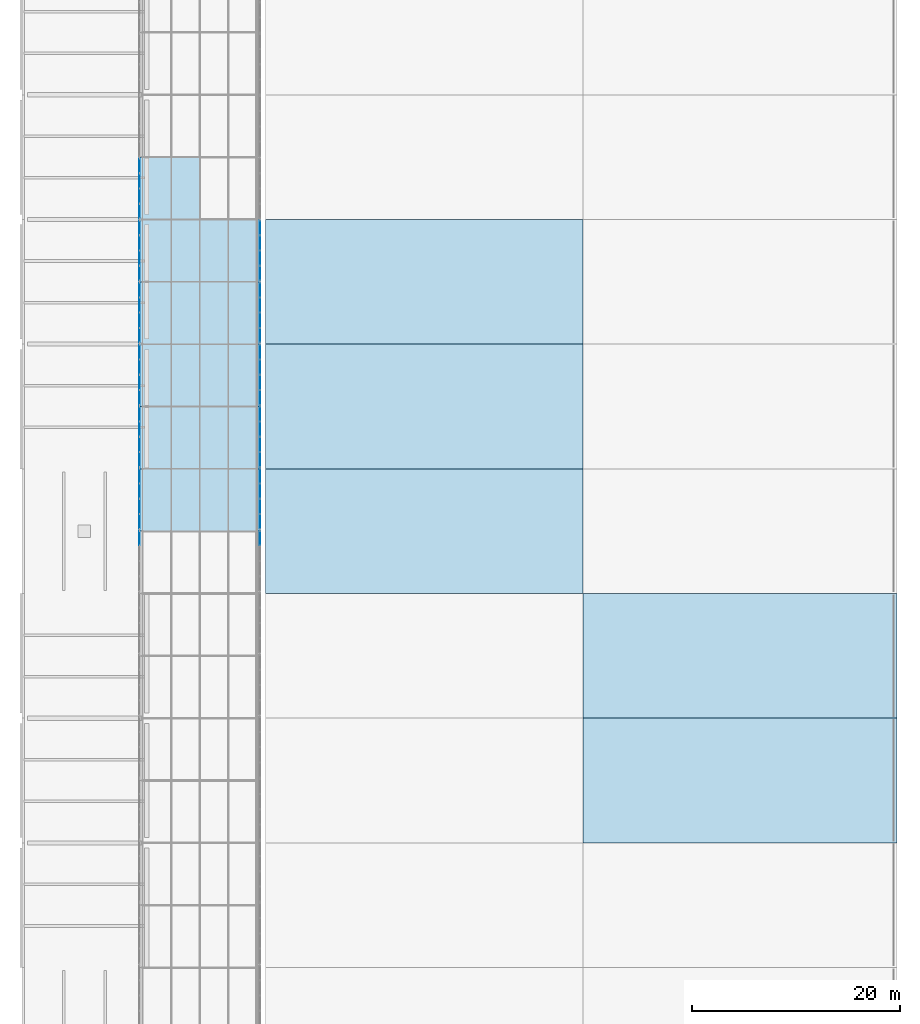
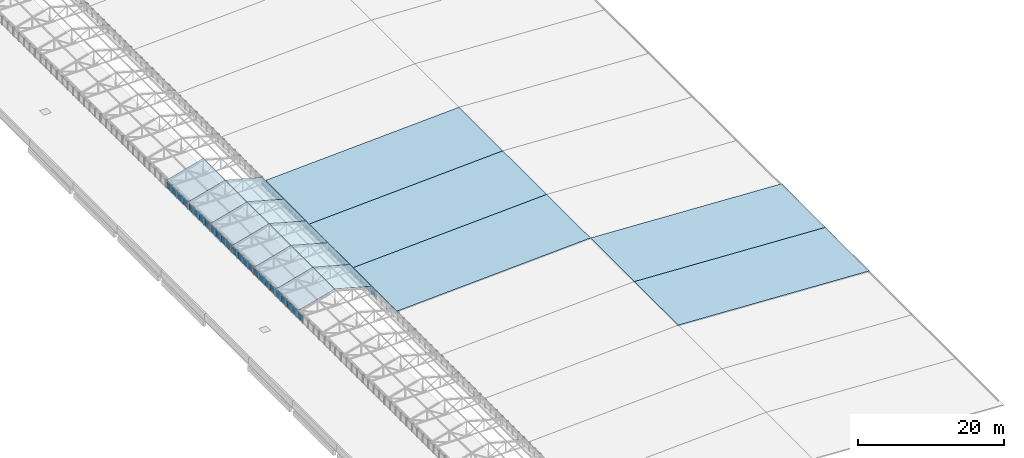
# One storey, part 79 of 94: 46 plates, 16 slabs, 13 elements without a shape of their own.
"""IFC4 building model written with IfcOpenShell, lengths in metres."""

import ifcopenshell
import ifcopenshell.guid

model = None  # the IFC model being written
_history = None  # IfcOwnerHistory: only IFC2X3 demands one
_inside = {}  # id of a spatial element -> (the spatial element, [elements in it])
_under = {}  # id of a project, library or spatial element -> (it, [spatial elements below it])
_declared = {}  # id of a project -> (the project, [libraries it declares])
_typed = {}  # id of a type object -> (the type object, [elements of that type])
_made_of = {}  # id of a material, layer set ... -> (it, [elements and type objects made of it])


def new_model(schema):
    """Start an empty IFC model of exactly this schema.

    Asked for "IFC4X3", IfcOpenShell would pick the latest addendum, in which some entities
    have other attributes; the version numbers below select the first issue.
    IFC2X3 requires an IfcOwnerHistory on every rooted entity: one is made here for all.
    """
    global model, _history
    if schema == "IFC4X3":
        model = ifcopenshell.file(schema_version=(4, 3, 0, 0))
    else:
        model = ifcopenshell.file(schema=schema)
    _inside.clear()
    _under.clear()
    _declared.clear()
    _typed.clear()
    _made_of.clear()
    _history = None
    if model.schema == "IFC2X3":
        org = make("IfcOrganization", Name="unknown")
        user = make(
            "IfcPersonAndOrganization",
            ThePerson=make("IfcPerson", FamilyName="unknown"),
            TheOrganization=org,
        )
        app = make(
            "IfcApplication",
            ApplicationDeveloper=org,
            Version="unknown",
            ApplicationFullName="unknown",
            ApplicationIdentifier="unknown",
        )
        _history = make(
            "IfcOwnerHistory",
            OwningUser=user,
            OwningApplication=app,
            ChangeAction="ADDED",
            CreationDate=0,
        )
    return model


def make(cls, **values):
    """One entity of the class cls with the attributes given. An attribute that is None is left unset."""
    return model.create_entity(
        cls, **{name: value for name, value in values.items() if value is not None}
    )


def rooted(cls, **values):
    """An entity with a GlobalId (a new one), such as an element, a storey or a relation."""
    return make(cls, GlobalId=ifcopenshell.guid.new(), OwnerHistory=_history, **values)


def si_unit(unit_type, name, prefix=None):
    """IfcSIUnit, for example si_unit("LENGTHUNIT", "METRE", prefix="MILLI")."""
    return make("IfcSIUnit", UnitType=unit_type, Prefix=prefix, Name=name)


def assignment(units):
    """IfcUnitAssignment: the units of a project."""
    return None if units is None else make("IfcUnitAssignment", Units=units)


def point(xyz):
    """IfcCartesianPoint."""
    return None if xyz is None else make("IfcCartesianPoint", Coordinates=xyz)


def direction(xyz):
    """IfcDirection."""
    return None if xyz is None else make("IfcDirection", DirectionRatios=xyz)


def frame(location, z_axis=None, x_axis=None):
    """IfcAxis2Placement3D, a coordinate frame: its origin and axes. An axis left out is left unset."""
    return make(
        "IfcAxis2Placement3D",
        Location=point(location),
        Axis=direction(z_axis),
        RefDirection=direction(x_axis),
    )


def frame_2d(location, x_axis=None):
    """IfcAxis2Placement2D, a coordinate frame in the plane: its origin and x axis."""
    return make(
        "IfcAxis2Placement2D", Location=point(location), RefDirection=direction(x_axis)
    )


def origin():
    """The frame at (0, 0, 0) with its axes left unset."""
    return frame((0.0, 0.0, 0.0))


def origin_2d():
    """The frame at (0, 0) in the plane with its x axis left unset."""
    return frame_2d((0.0, 0.0))


def place(relative_to, where):
    """IfcLocalPlacement: puts the frame where relative to a parent placement (None: the world)."""
    return make(
        "IfcLocalPlacement", PlacementRelTo=relative_to, RelativePlacement=where
    )


def context(
    kind, dimensions, precision=None, world=None, true_north=None, identifier=None
):
    """IfcGeometricRepresentationContext, for example the 3D "Model" context."""
    return make(
        "IfcGeometricRepresentationContext",
        ContextIdentifier=identifier,
        ContextType=kind,
        CoordinateSpaceDimension=dimensions,
        Precision=precision,
        WorldCoordinateSystem=world,
        TrueNorth=true_north,
    )


def subcontext(parent, identifier, kind, view, scale=None):
    """IfcGeometricRepresentationSubContext, for example "Body" below "Model"."""
    return make(
        "IfcGeometricRepresentationSubContext",
        ContextIdentifier=identifier,
        ContextType=kind,
        ParentContext=parent,
        TargetScale=scale,
        TargetView=view,
    )


def project(units=None, contexts=None):
    """IfcProject with its units and contexts."""
    return rooted(
        "IfcProject",
        Name="project",
        RepresentationContexts=contexts,
        UnitsInContext=assignment(units),
    )


def spatial(cls, under=None, at=None, **own):
    """A site, building, storey or space (cls), placed at a placement, below another one or the project."""
    s = rooted(cls, ObjectPlacement=at, **own)
    if under is not None:
        _under.setdefault(under.id(), (under, []))[1].append(s)
    return s


def polyline(points):
    """IfcPolyline through the points."""
    return make("IfcPolyline", Points=[point(p) for p in points])


def profile(cls, at=None, kind="AREA", **sizes):
    """A parametric profile (cls). Its sizes go by their IFC names, for example OverallWidth=200.0."""
    return make(cls, ProfileType=kind, Position=at, **sizes)


def rectangle(**sizes):
    """IfcRectangleProfileDef."""
    return profile("IfcRectangleProfileDef", **sizes)


def outline(outer, holes=None, kind="AREA"):
    """IfcArbitraryClosedProfileDef: a profile drawn as a closed curve; with holes, ...WithVoids."""
    if holes is None:
        return make("IfcArbitraryClosedProfileDef", ProfileType=kind, OuterCurve=outer)
    return make(
        "IfcArbitraryProfileDefWithVoids",
        ProfileType=kind,
        OuterCurve=outer,
        InnerCurves=holes,
    )


def extrude(swept, where, along, depth):
    """IfcExtrudedAreaSolid: the profile swept, set in the frame where, extruded along a direction by depth."""
    return make(
        "IfcExtrudedAreaSolid",
        SweptArea=swept,
        Position=where,
        ExtrudedDirection=direction(along),
        Depth=depth,
    )


def shape(context_of_items, identifier, shape_type, items):
    """IfcShapeRepresentation: the items that make up one representation, for example the "Body"."""
    return make(
        "IfcShapeRepresentation",
        ContextOfItems=context_of_items,
        RepresentationIdentifier=identifier,
        RepresentationType=shape_type,
        Items=items,
    )


def material(Name=None, Category=None):
    """IfcMaterial."""
    return make("IfcMaterial", Name=Name, Category=Category)


def layer(
    of_material, thickness, ventilated=None, Name=None, Category=None, Priority=None
):
    """IfcMaterialLayer: one layer of a wall or slab, of a material (None: an air gap)."""
    return make(
        "IfcMaterialLayer",
        Material=of_material,
        LayerThickness=thickness,
        IsVentilated=ventilated,
        Name=Name,
        Category=Category,
        Priority=Priority,
    )


def layer_set(layers, Name=None):
    """IfcMaterialLayerSet."""
    return make("IfcMaterialLayerSet", MaterialLayers=layers, LayerSetName=Name)


def made_of(thing, what):
    """Note that an element or type object is made of a material, layer set ...; save() writes the relation."""
    if what is not None:
        _made_of.setdefault(what.id(), (what, []))[1].append(thing)
    return thing


def type_object(cls, material=None, **own):
    """A type object (cls), such as IfcWallType, which elements share."""
    return made_of(rooted(cls, **own), material)


def element(
    cls,
    number,
    at=None,
    inside=None,
    cuts=None,
    type_object=None,
    material=None,
    context=None,
    identifier="Body",
    shape_type=None,
    held_by="IfcProductDefinitionShape",
    body=None,
    shapes=None,
    **own,
):
    """One element of the class cls, such as IfcWall. Its Tag is "e" and its number.

    at: its placement. inside: the storey or other place that contains it. cuts: it is an
    opening in that element (IfcRelVoidsElement). A single representation is given by context,
    identifier, shape_type and body (its items); several are given by shapes. held_by: the class
    of the entity that holds the representations. save() writes the other relations.
    """
    e = rooted(cls, Tag="e%d" % number, ObjectPlacement=at, **own)
    if body is not None:
        shapes = [shape(context, identifier, shape_type, body)]
    if shapes is not None:
        e.Representation = make(held_by, Representations=shapes)
    if inside is not None:
        _inside.setdefault(inside.id(), (inside, []))[1].append(e)
    if cuts is not None:
        rooted(
            "IfcRelVoidsElement", RelatingBuildingElement=cuts, RelatedOpeningElement=e
        )
    if type_object is not None:
        _typed.setdefault(type_object.id(), (type_object, []))[1].append(e)
    return made_of(e, material)


def aggregate(whole, parts):
    """IfcRelAggregates: a whole, such as a stair, and the parts it consists of."""
    return rooted("IfcRelAggregates", RelatingObject=whole, RelatedObjects=parts)


def save(model, path):
    """Write the relations noted so far, then the file.

    IfcRelAggregates (storeys below a building ...), IfcRelContainedInSpatialStructure (elements
    in a storey), IfcRelDefinesByType, IfcRelAssociatesMaterial and IfcRelDeclares: one each for
    every whole, place, type object, material and project.
    """
    for whole, parts in _under.values():
        aggregate(whole, parts)
    for where, things in _inside.values():
        rooted(
            "IfcRelContainedInSpatialStructure",
            RelatedElements=things,
            RelatingStructure=where,
        )
    for kind, things in _typed.values():
        rooted("IfcRelDefinesByType", RelatedObjects=things, RelatingType=kind)
    for what, things in _made_of.values():
        rooted("IfcRelAssociatesMaterial", RelatedObjects=things, RelatingMaterial=what)
    for by, libraries in _declared.values():
        rooted("IfcRelDeclares", RelatingContext=by, RelatedDefinitions=libraries)
    model.write(path)


model = new_model("IFC4")

# Units and contexts
model_context = context("Model", 3, precision=1e-05, world=origin(), true_north=direction((0.0, 1.0)))
body_context = subcontext(model_context, "Body", "Model", "MODEL_VIEW")
ifc_project = project(units=[si_unit("LENGTHUNIT", "METRE"), si_unit("AREAUNIT", "SQUARE_METRE"), si_unit("VOLUMEUNIT", "CUBIC_METRE"), si_unit("PLANEANGLEUNIT", "RADIAN"), si_unit("MASSUNIT", "GRAM", prefix="KILO")], contexts=[model_context])

# Site, building, storey
site_placement = place(None, origin())
site = spatial("IfcSite", under=ifc_project, at=site_placement, CompositionType="ELEMENT")
building_placement = place(site_placement, origin())
building = spatial("IfcBuilding", under=site, at=building_placement, Name="Lilac Gate Convention Centre", CompositionType="ELEMENT")
storey_placement = place(building_placement, frame((0.0, 0.0, 21.0)))
storey = spatial("IfcBuildingStorey", under=building, at=storey_placement, Name="L04", CompositionType="ELEMENT", Elevation=21.0)

# Curtain wall, plate
ifc_material_1 = material(Name="Aluminium framed double glazing", Category="aluminium")
ifc_layer_1 = layer(ifc_material_1, 0.199951171875)
ifc_layer_set_1 = layer_set([ifc_layer_1], Name="Aluminium framed double glazing")
curtain_wall_type = type_object("IfcCurtainWallType", Name="Unitised curtain wall 1500", PredefinedType="NOTDEFINED", material=ifc_layer_set_1)
curtain_wall_1_placement = place(storey_placement, origin())
curtain_wall_1 = element("IfcCurtainWall", 1, at=curtain_wall_1_placement, inside=storey, type_object=curtain_wall_type, Name="Lantern clerestory W 11", PredefinedType="NOTDEFINED")
ifc_material_2 = material(Name="Double glazed unit low emissivity")
ifc_layer_2 = layer(ifc_material_2, 0.028076171875)
ifc_layer_set_2 = layer_set([ifc_layer_2], Name="Double glazed unit low emissivity")
plate_type = type_object("IfcPlateType", Name="Curtain wall glass panel 28", PredefinedType="CURTAIN_PANEL", material=ifc_layer_set_2)
plate_1_placement = place(storey_placement, frame((17.300048828125, 95.32568359375, 0.06005859375), z_axis=(0.0, 0.0, 1.0), x_axis=(0.0, 1.0, 0.0)))
plate_1 = element("IfcPlate", 2, at=plate_1_placement, type_object=plate_type, Name="CW panel 4.1", PredefinedType="CURTAIN_PANEL", context=body_context, shape_type="SweptSolid", body=[
    extrude(rectangle(XDim=1.378662109375, YDim=0.028076171875, at=origin_2d()), origin(), (0.0, 0.0, 1.0), 1.152099609375),
])
aggregate(curtain_wall_1, [plate_1])

# Curtain wall, plates
curtain_wall_2_placement = place(storey_placement, origin())
curtain_wall_2 = element("IfcCurtainWall", 3, at=curtain_wall_2_placement, inside=storey, type_object=curtain_wall_type, Name="Lantern clerestory W 12", PredefinedType="NOTDEFINED")
plate_2_placement = place(storey_placement, frame((17.300048828125, 96.92431640625, 0.06005859375), z_axis=(0.0, 0.0, 1.0), x_axis=(0.0, 1.0, 0.0)))
plate_2 = element("IfcPlate", 4, at=plate_2_placement, type_object=plate_type, Name="CW panel 1.1", PredefinedType="CURTAIN_PANEL", context=body_context, shape_type="SweptSolid", body=[
    extrude(rectangle(XDim=1.378662109375, YDim=0.028076171875, at=origin_2d()), origin(), (0.0, 0.0, 1.0), 1.152099609375),
])
plate_3_placement = place(storey_placement, frame((17.300048828125, 98.378173828125, 0.06005859375), z_axis=(0.0, 0.0, 1.0), x_axis=(0.0, 1.0, 0.0)))
plate_3 = element("IfcPlate", 5, at=plate_3_placement, type_object=plate_type, Name="CW panel 2.1", PredefinedType="CURTAIN_PANEL", context=body_context, shape_type="SweptSolid", body=[
    extrude(rectangle(XDim=1.40869140625, YDim=0.028076171875, at=origin_2d()), origin(), (0.0, 0.0, 1.0), 1.152099609375),
])
plate_4_placement = place(storey_placement, frame((17.300048828125, 99.846923828125, 0.06005859375), z_axis=(0.0, 0.0, 1.0), x_axis=(0.0, 1.0, 0.0)))
plate_4 = element("IfcPlate", 6, at=plate_4_placement, type_object=plate_type, Name="CW panel 3.1", PredefinedType="CURTAIN_PANEL", context=body_context, shape_type="SweptSolid", body=[
    extrude(rectangle(XDim=1.40869140625, YDim=0.028076171875, at=origin_2d()), origin(), (0.0, 0.0, 1.0), 1.152099609375),
])
plate_5_placement = place(storey_placement, frame((17.300048828125, 101.30078125, 0.06005859375), z_axis=(0.0, 0.0, 1.0), x_axis=(0.0, 1.0, 0.0)))
plate_5 = element("IfcPlate", 7, at=plate_5_placement, type_object=plate_type, Name="CW panel 4.1", PredefinedType="CURTAIN_PANEL", context=body_context, shape_type="SweptSolid", body=[
    extrude(rectangle(XDim=1.378662109375, YDim=0.028076171875, at=origin_2d()), origin(), (0.0, 0.0, 1.0), 1.152099609375),
])
aggregate(curtain_wall_2, [plate_2, plate_3, plate_4, plate_5])

curtain_wall_3_placement = place(storey_placement, origin())
curtain_wall_3 = element("IfcCurtainWall", 8, at=curtain_wall_3_placement, inside=storey, type_object=curtain_wall_type, Name="Lantern clerestory W 13", PredefinedType="NOTDEFINED")
plate_6_placement = place(storey_placement, frame((17.300048828125, 102.899169921875, 0.06005859375), z_axis=(0.0, 0.0, 1.0), x_axis=(0.0, 1.0, 0.0)))
plate_6 = element("IfcPlate", 9, at=plate_6_placement, type_object=plate_type, Name="CW panel 1.1", PredefinedType="CURTAIN_PANEL", context=body_context, shape_type="SweptSolid", body=[
    extrude(rectangle(XDim=1.378662109375, YDim=0.028076171875, at=origin_2d()), origin(), (0.0, 0.0, 1.0), 1.152099609375),
])
plate_7_placement = place(storey_placement, frame((17.300048828125, 104.35302734375, 0.06005859375), z_axis=(0.0, 0.0, 1.0), x_axis=(0.0, 1.0, 0.0)))
plate_7 = element("IfcPlate", 10, at=plate_7_placement, type_object=plate_type, Name="CW panel 2.1", PredefinedType="CURTAIN_PANEL", context=body_context, shape_type="SweptSolid", body=[
    extrude(rectangle(XDim=1.40869140625, YDim=0.028076171875, at=origin_2d()), origin(), (0.0, 0.0, 1.0), 1.152099609375),
])
plate_8_placement = place(storey_placement, frame((17.300048828125, 105.82177734375, 0.06005859375), z_axis=(0.0, 0.0, 1.0), x_axis=(0.0, 1.0, 0.0)))
plate_8 = element("IfcPlate", 11, at=plate_8_placement, type_object=plate_type, Name="CW panel 3.1", PredefinedType="CURTAIN_PANEL", context=body_context, shape_type="SweptSolid", body=[
    extrude(rectangle(XDim=1.40869140625, YDim=0.028076171875, at=origin_2d()), origin(), (0.0, 0.0, 1.0), 1.152099609375),
])
plate_9_placement = place(storey_placement, frame((17.300048828125, 107.275634765625, 0.06005859375), z_axis=(0.0, 0.0, 1.0), x_axis=(0.0, 1.0, 0.0)))
plate_9 = element("IfcPlate", 12, at=plate_9_placement, type_object=plate_type, Name="CW panel 4.1", PredefinedType="CURTAIN_PANEL", context=body_context, shape_type="SweptSolid", body=[
    extrude(rectangle(XDim=1.378662109375, YDim=0.028076171875, at=origin_2d()), origin(), (0.0, 0.0, 1.0), 1.152099609375),
])
aggregate(curtain_wall_3, [plate_6, plate_7, plate_8, plate_9])

curtain_wall_4_placement = place(storey_placement, origin())
curtain_wall_4 = element("IfcCurtainWall", 13, at=curtain_wall_4_placement, inside=storey, type_object=curtain_wall_type, Name="Lantern clerestory W 14", PredefinedType="NOTDEFINED")
plate_10_placement = place(storey_placement, frame((17.300048828125, 108.874267578125, 0.06005859375), z_axis=(0.0, 0.0, 1.0), x_axis=(0.0, 1.0, 0.0)))
plate_10 = element("IfcPlate", 14, at=plate_10_placement, type_object=plate_type, Name="CW panel 1.1", PredefinedType="CURTAIN_PANEL", context=body_context, shape_type="SweptSolid", body=[
    extrude(rectangle(XDim=1.378662109375, YDim=0.028076171875, at=origin_2d()), origin(), (0.0, 0.0, 1.0), 1.152099609375),
])
plate_11_placement = place(storey_placement, frame((17.300048828125, 110.328125, 0.06005859375), z_axis=(0.0, 0.0, 1.0), x_axis=(0.0, 1.0, 0.0)))
plate_11 = element("IfcPlate", 15, at=plate_11_placement, type_object=plate_type, Name="CW panel 2.1", PredefinedType="CURTAIN_PANEL", context=body_context, shape_type="SweptSolid", body=[
    extrude(rectangle(XDim=1.40869140625, YDim=0.028076171875, at=origin_2d()), origin(), (0.0, 0.0, 1.0), 1.152099609375),
])
plate_12_placement = place(storey_placement, frame((17.300048828125, 111.796875, 0.06005859375), z_axis=(0.0, 0.0, 1.0), x_axis=(0.0, 1.0, 0.0)))
plate_12 = element("IfcPlate", 16, at=plate_12_placement, type_object=plate_type, Name="CW panel 3.1", PredefinedType="CURTAIN_PANEL", context=body_context, shape_type="SweptSolid", body=[
    extrude(rectangle(XDim=1.40869140625, YDim=0.028076171875, at=origin_2d()), origin(), (0.0, 0.0, 1.0), 1.152099609375),
])
plate_13_placement = place(storey_placement, frame((17.300048828125, 113.250732421875, 0.06005859375), z_axis=(0.0, 0.0, 1.0), x_axis=(0.0, 1.0, 0.0)))
plate_13 = element("IfcPlate", 17, at=plate_13_placement, type_object=plate_type, Name="CW panel 4.1", PredefinedType="CURTAIN_PANEL", context=body_context, shape_type="SweptSolid", body=[
    extrude(rectangle(XDim=1.378662109375, YDim=0.028076171875, at=origin_2d()), origin(), (0.0, 0.0, 1.0), 1.152099609375),
])
aggregate(curtain_wall_4, [plate_10, plate_11, plate_12, plate_13])

curtain_wall_5_placement = place(storey_placement, origin())
curtain_wall_5 = element("IfcCurtainWall", 18, at=curtain_wall_5_placement, inside=storey, type_object=curtain_wall_type, Name="Lantern clerestory W 15", PredefinedType="NOTDEFINED")
plate_14_placement = place(storey_placement, frame((17.300048828125, 114.849365234375, 0.06005859375), z_axis=(0.0, 0.0, 1.0), x_axis=(0.0, 1.0, 0.0)))
plate_14 = element("IfcPlate", 19, at=plate_14_placement, type_object=plate_type, Name="CW panel 1.1", PredefinedType="CURTAIN_PANEL", context=body_context, shape_type="SweptSolid", body=[
    extrude(rectangle(XDim=1.378662109375, YDim=0.028076171875, at=origin_2d()), origin(), (0.0, 0.0, 1.0), 1.152099609375),
])
plate_15_placement = place(storey_placement, frame((17.300048828125, 116.30322265625, 0.06005859375), z_axis=(0.0, 0.0, 1.0), x_axis=(0.0, 1.0, 0.0)))
plate_15 = element("IfcPlate", 20, at=plate_15_placement, type_object=plate_type, Name="CW panel 2.1", PredefinedType="CURTAIN_PANEL", context=body_context, shape_type="SweptSolid", body=[
    extrude(rectangle(XDim=1.40869140625, YDim=0.028076171875, at=origin_2d()), origin(), (0.0, 0.0, 1.0), 1.152099609375),
])
plate_16_placement = place(storey_placement, frame((17.300048828125, 117.77197265625, 0.06005859375), z_axis=(0.0, 0.0, 1.0), x_axis=(0.0, 1.0, 0.0)))
plate_16 = element("IfcPlate", 21, at=plate_16_placement, type_object=plate_type, Name="CW panel 3.1", PredefinedType="CURTAIN_PANEL", context=body_context, shape_type="SweptSolid", body=[
    extrude(rectangle(XDim=1.40869140625, YDim=0.028076171875, at=origin_2d()), origin(), (0.0, 0.0, 1.0), 1.152099609375),
])
plate_17_placement = place(storey_placement, frame((17.300048828125, 119.225830078125, 0.06005859375), z_axis=(0.0, 0.0, 1.0), x_axis=(0.0, 1.0, 0.0)))
plate_17 = element("IfcPlate", 22, at=plate_17_placement, type_object=plate_type, Name="CW panel 4.1", PredefinedType="CURTAIN_PANEL", context=body_context, shape_type="SweptSolid", body=[
    extrude(rectangle(XDim=1.378662109375, YDim=0.028076171875, at=origin_2d()), origin(), (0.0, 0.0, 1.0), 1.152099609375),
])
aggregate(curtain_wall_5, [plate_14, plate_15, plate_16, plate_17])

curtain_wall_6_placement = place(storey_placement, origin())
curtain_wall_6 = element("IfcCurtainWall", 23, at=curtain_wall_6_placement, inside=storey, type_object=curtain_wall_type, Name="Lantern clerestory W 16", PredefinedType="NOTDEFINED")
plate_18_placement = place(storey_placement, frame((17.300048828125, 120.82421875, 0.06005859375), z_axis=(0.0, 0.0, 1.0), x_axis=(0.0, 1.0, 0.0)))
plate_18 = element("IfcPlate", 24, at=plate_18_placement, type_object=plate_type, Name="CW panel 1.1", PredefinedType="CURTAIN_PANEL", context=body_context, shape_type="SweptSolid", body=[
    extrude(rectangle(XDim=1.378662109375, YDim=0.028076171875, at=origin_2d()), origin(), (0.0, 0.0, 1.0), 1.152099609375),
])
plate_19_placement = place(storey_placement, frame((17.300048828125, 122.278076171875, 0.06005859375), z_axis=(0.0, 0.0, 1.0), x_axis=(0.0, 1.0, 0.0)))
plate_19 = element("IfcPlate", 25, at=plate_19_placement, type_object=plate_type, Name="CW panel 2.1", PredefinedType="CURTAIN_PANEL", context=body_context, shape_type="SweptSolid", body=[
    extrude(rectangle(XDim=1.40869140625, YDim=0.028076171875, at=origin_2d()), origin(), (0.0, 0.0, 1.0), 1.152099609375),
])
plate_20_placement = place(storey_placement, frame((17.300048828125, 123.746826171875, 0.06005859375), z_axis=(0.0, 0.0, 1.0), x_axis=(0.0, 1.0, 0.0)))
plate_20 = element("IfcPlate", 26, at=plate_20_placement, type_object=plate_type, Name="CW panel 3.1", PredefinedType="CURTAIN_PANEL", context=body_context, shape_type="SweptSolid", body=[
    extrude(rectangle(XDim=1.40869140625, YDim=0.028076171875, at=origin_2d()), origin(), (0.0, 0.0, 1.0), 1.152099609375),
])
plate_21_placement = place(storey_placement, frame((17.300048828125, 125.20068359375, 0.06005859375), z_axis=(0.0, 0.0, 1.0), x_axis=(0.0, 1.0, 0.0)))
plate_21 = element("IfcPlate", 27, at=plate_21_placement, type_object=plate_type, Name="CW panel 4.1", PredefinedType="CURTAIN_PANEL", context=body_context, shape_type="SweptSolid", body=[
    extrude(rectangle(XDim=1.378662109375, YDim=0.028076171875, at=origin_2d()), origin(), (0.0, 0.0, 1.0), 1.152099609375),
])
aggregate(curtain_wall_6, [plate_18, plate_19, plate_20, plate_21])

curtain_wall_7_placement = place(storey_placement, origin())
curtain_wall_7 = element("IfcCurtainWall", 28, at=curtain_wall_7_placement, inside=storey, type_object=curtain_wall_type, Name="Lantern clerestory W 17", PredefinedType="NOTDEFINED")
plate_22_placement = place(storey_placement, frame((17.300048828125, 126.79931640625, 0.06005859375), z_axis=(0.0, 0.0, 1.0), x_axis=(0.0, 1.0, 0.0)))
plate_22 = element("IfcPlate", 29, at=plate_22_placement, type_object=plate_type, Name="CW panel 1.1", PredefinedType="CURTAIN_PANEL", context=body_context, shape_type="SweptSolid", body=[
    extrude(rectangle(XDim=1.378662109375, YDim=0.028076171875, at=origin_2d()), origin(), (0.0, 0.0, 1.0), 1.152099609375),
])
plate_23_placement = place(storey_placement, frame((17.300048828125, 128.253173828125, 0.06005859375), z_axis=(0.0, 0.0, 1.0), x_axis=(0.0, 1.0, 0.0)))
plate_23 = element("IfcPlate", 30, at=plate_23_placement, type_object=plate_type, Name="CW panel 2.1", PredefinedType="CURTAIN_PANEL", context=body_context, shape_type="SweptSolid", body=[
    extrude(rectangle(XDim=1.40869140625, YDim=0.028076171875, at=origin_2d()), origin(), (0.0, 0.0, 1.0), 1.152099609375),
])
plate_24_placement = place(storey_placement, frame((17.300048828125, 129.721923828125, 0.06005859375), z_axis=(0.0, 0.0, 1.0), x_axis=(0.0, 1.0, 0.0)))
plate_24 = element("IfcPlate", 31, at=plate_24_placement, type_object=plate_type, Name="CW panel 3.1", PredefinedType="CURTAIN_PANEL", context=body_context, shape_type="SweptSolid", body=[
    extrude(rectangle(XDim=1.40869140625, YDim=0.028076171875, at=origin_2d()), origin(), (0.0, 0.0, 1.0), 1.152099609375),
])
plate_25_placement = place(storey_placement, frame((17.300048828125, 131.17578125, 0.06005859375), z_axis=(0.0, 0.0, 1.0), x_axis=(0.0, 1.0, 0.0)))
plate_25 = element("IfcPlate", 32, at=plate_25_placement, type_object=plate_type, Name="CW panel 4.1", PredefinedType="CURTAIN_PANEL", context=body_context, shape_type="SweptSolid", body=[
    extrude(rectangle(XDim=1.378662109375, YDim=0.028076171875, at=origin_2d()), origin(), (0.0, 0.0, 1.0), 1.152099609375),
])
aggregate(curtain_wall_7, [plate_22, plate_23, plate_24, plate_25])

# Curtain wall, plate
curtain_wall_8_placement = place(storey_placement, origin())
curtain_wall_8 = element("IfcCurtainWall", 33, at=curtain_wall_8_placement, inside=storey, type_object=curtain_wall_type, Name="Lantern clerestory E 11", PredefinedType="NOTDEFINED")
plate_26_placement = place(storey_placement, frame((28.89990234375, 95.32568359375, 0.06005859375), z_axis=(0.0, 0.0, 1.0), x_axis=(0.0, 1.0, 0.0)))
plate_26 = element("IfcPlate", 34, at=plate_26_placement, type_object=plate_type, Name="CW panel 4.1", PredefinedType="CURTAIN_PANEL", context=body_context, shape_type="SweptSolid", body=[
    extrude(rectangle(XDim=1.378662109375, YDim=0.028076171875, at=origin_2d()), origin(), (0.0, 0.0, 1.0), 1.152099609375),
])
aggregate(curtain_wall_8, [plate_26])

# Curtain wall, plates
curtain_wall_9_placement = place(storey_placement, origin())
curtain_wall_9 = element("IfcCurtainWall", 35, at=curtain_wall_9_placement, inside=storey, type_object=curtain_wall_type, Name="Lantern clerestory E 12", PredefinedType="NOTDEFINED")
plate_27_placement = place(storey_placement, frame((28.89990234375, 96.92431640625, 0.06005859375), z_axis=(0.0, 0.0, 1.0), x_axis=(0.0, 1.0, 0.0)))
plate_27 = element("IfcPlate", 36, at=plate_27_placement, type_object=plate_type, Name="CW panel 1.1", PredefinedType="CURTAIN_PANEL", context=body_context, shape_type="SweptSolid", body=[
    extrude(rectangle(XDim=1.378662109375, YDim=0.028076171875, at=origin_2d()), origin(), (0.0, 0.0, 1.0), 1.152099609375),
])
plate_28_placement = place(storey_placement, frame((28.89990234375, 98.378173828125, 0.06005859375), z_axis=(0.0, 0.0, 1.0), x_axis=(0.0, 1.0, 0.0)))
plate_28 = element("IfcPlate", 37, at=plate_28_placement, type_object=plate_type, Name="CW panel 2.1", PredefinedType="CURTAIN_PANEL", context=body_context, shape_type="SweptSolid", body=[
    extrude(rectangle(XDim=1.40869140625, YDim=0.028076171875, at=origin_2d()), origin(), (0.0, 0.0, 1.0), 1.152099609375),
])
plate_29_placement = place(storey_placement, frame((28.89990234375, 99.846923828125, 0.06005859375), z_axis=(0.0, 0.0, 1.0), x_axis=(0.0, 1.0, 0.0)))
plate_29 = element("IfcPlate", 38, at=plate_29_placement, type_object=plate_type, Name="CW panel 3.1", PredefinedType="CURTAIN_PANEL", context=body_context, shape_type="SweptSolid", body=[
    extrude(rectangle(XDim=1.40869140625, YDim=0.028076171875, at=origin_2d()), origin(), (0.0, 0.0, 1.0), 1.152099609375),
])
plate_30_placement = place(storey_placement, frame((28.89990234375, 101.30078125, 0.06005859375), z_axis=(0.0, 0.0, 1.0), x_axis=(0.0, 1.0, 0.0)))
plate_30 = element("IfcPlate", 39, at=plate_30_placement, type_object=plate_type, Name="CW panel 4.1", PredefinedType="CURTAIN_PANEL", context=body_context, shape_type="SweptSolid", body=[
    extrude(rectangle(XDim=1.378662109375, YDim=0.028076171875, at=origin_2d()), origin(), (0.0, 0.0, 1.0), 1.152099609375),
])
aggregate(curtain_wall_9, [plate_27, plate_28, plate_29, plate_30])

curtain_wall_10_placement = place(storey_placement, origin())
curtain_wall_10 = element("IfcCurtainWall", 40, at=curtain_wall_10_placement, inside=storey, type_object=curtain_wall_type, Name="Lantern clerestory E 13", PredefinedType="NOTDEFINED")
plate_31_placement = place(storey_placement, frame((28.89990234375, 102.899169921875, 0.06005859375), z_axis=(0.0, 0.0, 1.0), x_axis=(0.0, 1.0, 0.0)))
plate_31 = element("IfcPlate", 41, at=plate_31_placement, type_object=plate_type, Name="CW panel 1.1", PredefinedType="CURTAIN_PANEL", context=body_context, shape_type="SweptSolid", body=[
    extrude(rectangle(XDim=1.378662109375, YDim=0.028076171875, at=origin_2d()), origin(), (0.0, 0.0, 1.0), 1.152099609375),
])
plate_32_placement = place(storey_placement, frame((28.89990234375, 104.35302734375, 0.06005859375), z_axis=(0.0, 0.0, 1.0), x_axis=(0.0, 1.0, 0.0)))
plate_32 = element("IfcPlate", 42, at=plate_32_placement, type_object=plate_type, Name="CW panel 2.1", PredefinedType="CURTAIN_PANEL", context=body_context, shape_type="SweptSolid", body=[
    extrude(rectangle(XDim=1.40869140625, YDim=0.028076171875, at=origin_2d()), origin(), (0.0, 0.0, 1.0), 1.152099609375),
])
plate_33_placement = place(storey_placement, frame((28.89990234375, 105.82177734375, 0.06005859375), z_axis=(0.0, 0.0, 1.0), x_axis=(0.0, 1.0, 0.0)))
plate_33 = element("IfcPlate", 43, at=plate_33_placement, type_object=plate_type, Name="CW panel 3.1", PredefinedType="CURTAIN_PANEL", context=body_context, shape_type="SweptSolid", body=[
    extrude(rectangle(XDim=1.40869140625, YDim=0.028076171875, at=origin_2d()), origin(), (0.0, 0.0, 1.0), 1.152099609375),
])
plate_34_placement = place(storey_placement, frame((28.89990234375, 107.275634765625, 0.06005859375), z_axis=(0.0, 0.0, 1.0), x_axis=(0.0, 1.0, 0.0)))
plate_34 = element("IfcPlate", 44, at=plate_34_placement, type_object=plate_type, Name="CW panel 4.1", PredefinedType="CURTAIN_PANEL", context=body_context, shape_type="SweptSolid", body=[
    extrude(rectangle(XDim=1.378662109375, YDim=0.028076171875, at=origin_2d()), origin(), (0.0, 0.0, 1.0), 1.152099609375),
])
aggregate(curtain_wall_10, [plate_31, plate_32, plate_33, plate_34])

curtain_wall_11_placement = place(storey_placement, origin())
curtain_wall_11 = element("IfcCurtainWall", 45, at=curtain_wall_11_placement, inside=storey, type_object=curtain_wall_type, Name="Lantern clerestory E 14", PredefinedType="NOTDEFINED")
plate_35_placement = place(storey_placement, frame((28.89990234375, 108.874267578125, 0.06005859375), z_axis=(0.0, 0.0, 1.0), x_axis=(0.0, 1.0, 0.0)))
plate_35 = element("IfcPlate", 46, at=plate_35_placement, type_object=plate_type, Name="CW panel 1.1", PredefinedType="CURTAIN_PANEL", context=body_context, shape_type="SweptSolid", body=[
    extrude(rectangle(XDim=1.378662109375, YDim=0.028076171875, at=origin_2d()), origin(), (0.0, 0.0, 1.0), 1.152099609375),
])
plate_36_placement = place(storey_placement, frame((28.89990234375, 110.328125, 0.06005859375), z_axis=(0.0, 0.0, 1.0), x_axis=(0.0, 1.0, 0.0)))
plate_36 = element("IfcPlate", 47, at=plate_36_placement, type_object=plate_type, Name="CW panel 2.1", PredefinedType="CURTAIN_PANEL", context=body_context, shape_type="SweptSolid", body=[
    extrude(rectangle(XDim=1.40869140625, YDim=0.028076171875, at=origin_2d()), origin(), (0.0, 0.0, 1.0), 1.152099609375),
])
plate_37_placement = place(storey_placement, frame((28.89990234375, 111.796875, 0.06005859375), z_axis=(0.0, 0.0, 1.0), x_axis=(0.0, 1.0, 0.0)))
plate_37 = element("IfcPlate", 48, at=plate_37_placement, type_object=plate_type, Name="CW panel 3.1", PredefinedType="CURTAIN_PANEL", context=body_context, shape_type="SweptSolid", body=[
    extrude(rectangle(XDim=1.40869140625, YDim=0.028076171875, at=origin_2d()), origin(), (0.0, 0.0, 1.0), 1.152099609375),
])
plate_38_placement = place(storey_placement, frame((28.89990234375, 113.250732421875, 0.06005859375), z_axis=(0.0, 0.0, 1.0), x_axis=(0.0, 1.0, 0.0)))
plate_38 = element("IfcPlate", 49, at=plate_38_placement, type_object=plate_type, Name="CW panel 4.1", PredefinedType="CURTAIN_PANEL", context=body_context, shape_type="SweptSolid", body=[
    extrude(rectangle(XDim=1.378662109375, YDim=0.028076171875, at=origin_2d()), origin(), (0.0, 0.0, 1.0), 1.152099609375),
])
aggregate(curtain_wall_11, [plate_35, plate_36, plate_37, plate_38])

curtain_wall_12_placement = place(storey_placement, origin())
curtain_wall_12 = element("IfcCurtainWall", 50, at=curtain_wall_12_placement, inside=storey, type_object=curtain_wall_type, Name="Lantern clerestory E 15", PredefinedType="NOTDEFINED")
plate_39_placement = place(storey_placement, frame((28.89990234375, 114.849365234375, 0.06005859375), z_axis=(0.0, 0.0, 1.0), x_axis=(0.0, 1.0, 0.0)))
plate_39 = element("IfcPlate", 51, at=plate_39_placement, type_object=plate_type, Name="CW panel 1.1", PredefinedType="CURTAIN_PANEL", context=body_context, shape_type="SweptSolid", body=[
    extrude(rectangle(XDim=1.378662109375, YDim=0.028076171875, at=origin_2d()), origin(), (0.0, 0.0, 1.0), 1.152099609375),
])
plate_40_placement = place(storey_placement, frame((28.89990234375, 116.30322265625, 0.06005859375), z_axis=(0.0, 0.0, 1.0), x_axis=(0.0, 1.0, 0.0)))
plate_40 = element("IfcPlate", 52, at=plate_40_placement, type_object=plate_type, Name="CW panel 2.1", PredefinedType="CURTAIN_PANEL", context=body_context, shape_type="SweptSolid", body=[
    extrude(rectangle(XDim=1.40869140625, YDim=0.028076171875, at=origin_2d()), origin(), (0.0, 0.0, 1.0), 1.152099609375),
])
plate_41_placement = place(storey_placement, frame((28.89990234375, 117.77197265625, 0.06005859375), z_axis=(0.0, 0.0, 1.0), x_axis=(0.0, 1.0, 0.0)))
plate_41 = element("IfcPlate", 53, at=plate_41_placement, type_object=plate_type, Name="CW panel 3.1", PredefinedType="CURTAIN_PANEL", context=body_context, shape_type="SweptSolid", body=[
    extrude(rectangle(XDim=1.40869140625, YDim=0.028076171875, at=origin_2d()), origin(), (0.0, 0.0, 1.0), 1.152099609375),
])
plate_42_placement = place(storey_placement, frame((28.89990234375, 119.225830078125, 0.06005859375), z_axis=(0.0, 0.0, 1.0), x_axis=(0.0, 1.0, 0.0)))
plate_42 = element("IfcPlate", 54, at=plate_42_placement, type_object=plate_type, Name="CW panel 4.1", PredefinedType="CURTAIN_PANEL", context=body_context, shape_type="SweptSolid", body=[
    extrude(rectangle(XDim=1.378662109375, YDim=0.028076171875, at=origin_2d()), origin(), (0.0, 0.0, 1.0), 1.152099609375),
])
aggregate(curtain_wall_12, [plate_39, plate_40, plate_41, plate_42])

curtain_wall_13_placement = place(storey_placement, origin())
curtain_wall_13 = element("IfcCurtainWall", 55, at=curtain_wall_13_placement, inside=storey, type_object=curtain_wall_type, Name="Lantern clerestory E 16", PredefinedType="NOTDEFINED")
plate_43_placement = place(storey_placement, frame((28.89990234375, 120.82421875, 0.06005859375), z_axis=(0.0, 0.0, 1.0), x_axis=(0.0, 1.0, 0.0)))
plate_43 = element("IfcPlate", 56, at=plate_43_placement, type_object=plate_type, Name="CW panel 1.1", PredefinedType="CURTAIN_PANEL", context=body_context, shape_type="SweptSolid", body=[
    extrude(rectangle(XDim=1.378662109375, YDim=0.028076171875, at=origin_2d()), origin(), (0.0, 0.0, 1.0), 1.152099609375),
])
plate_44_placement = place(storey_placement, frame((28.89990234375, 122.278076171875, 0.06005859375), z_axis=(0.0, 0.0, 1.0), x_axis=(0.0, 1.0, 0.0)))
plate_44 = element("IfcPlate", 57, at=plate_44_placement, type_object=plate_type, Name="CW panel 2.1", PredefinedType="CURTAIN_PANEL", context=body_context, shape_type="SweptSolid", body=[
    extrude(rectangle(XDim=1.40869140625, YDim=0.028076171875, at=origin_2d()), origin(), (0.0, 0.0, 1.0), 1.152099609375),
])
plate_45_placement = place(storey_placement, frame((28.89990234375, 123.746826171875, 0.06005859375), z_axis=(0.0, 0.0, 1.0), x_axis=(0.0, 1.0, 0.0)))
plate_45 = element("IfcPlate", 58, at=plate_45_placement, type_object=plate_type, Name="CW panel 3.1", PredefinedType="CURTAIN_PANEL", context=body_context, shape_type="SweptSolid", body=[
    extrude(rectangle(XDim=1.40869140625, YDim=0.028076171875, at=origin_2d()), origin(), (0.0, 0.0, 1.0), 1.152099609375),
])
plate_46_placement = place(storey_placement, frame((28.89990234375, 125.20068359375, 0.06005859375), z_axis=(0.0, 0.0, 1.0), x_axis=(0.0, 1.0, 0.0)))
plate_46 = element("IfcPlate", 59, at=plate_46_placement, type_object=plate_type, Name="CW panel 4.1", PredefinedType="CURTAIN_PANEL", context=body_context, shape_type="SweptSolid", body=[
    extrude(rectangle(XDim=1.378662109375, YDim=0.028076171875, at=origin_2d()), origin(), (0.0, 0.0, 1.0), 1.152099609375),
])
aggregate(curtain_wall_13, [plate_43, plate_44, plate_45, plate_46])

# Slabs
ifc_material_3 = material(Name="Low emissivity safety glass, bonded interlayer", Category="glass")
ifc_layer_3 = layer(ifc_material_3, 0.0400390625)
ifc_layer_set_3 = layer_set([ifc_layer_3], Name="Low emissivity safety glass, bonded interlayer")
slab_type_1 = type_object("IfcSlabType", Name="Lantern glazing panel 40", PredefinedType="ROOF", material=ifc_layer_set_3)
slab_1_placement = place(storey_placement, frame((17.300048828125, 96.0, 1.313720703125), z_axis=(-0.263110533367, 0.0, 0.964765695509), x_axis=(0.964765695509, 0.0, 0.263110533367)))
element("IfcSlab", 60, at=slab_1_placement, inside=storey, type_object=slab_type_1, Name="Lantern glazing W 12", PredefinedType="ROOF", context=body_context, shape_type="SweptSolid", body=[
    extrude(outline(polyline([(0.0, 0.0), (6.011872991673984, 0.0), (6.011872991673984, 5.999999999999999), (0.0, 5.999999999999999), (0.0, 0.0)])), origin(), (0.0, 0.0, -1.0), 0.0400390625),
])
slab_2_placement = place(storey_placement, frame((23.10009765625, 96.0, 2.8955078125), z_axis=(0.263120842134, 0.0, 0.964762884047), x_axis=(0.964762884047, 0.0, -0.263120842134)))
element("IfcSlab", 61, at=slab_2_placement, inside=storey, type_object=slab_type_1, Name="Lantern glazing E 12", PredefinedType="ROOF", context=body_context, shape_type="SweptSolid", body=[
    extrude(outline(polyline([(0.0, 0.0), (6.011637453517294, 0.0), (6.011637453517294, 6.0), (0.0, 6.0), (0.0, 0.0)])), origin(), (0.0, 0.0, -1.0), 0.0400390625),
])
slab_3_placement = place(storey_placement, frame((17.300048828125, 102.0, 1.313720703125), z_axis=(-0.263110533367, 0.0, 0.964765695509), x_axis=(0.964765695509, 0.0, 0.263110533367)))
element("IfcSlab", 62, at=slab_3_placement, inside=storey, type_object=slab_type_1, Name="Lantern glazing W 13", PredefinedType="ROOF", context=body_context, shape_type="SweptSolid", body=[
    extrude(outline(polyline([(0.0, 0.0), (6.011872991673984, 0.0), (6.011872991673984, 5.999999999999999), (0.0, 5.999999999999999), (0.0, 0.0)])), origin(), (0.0, 0.0, -1.0), 0.0400390625),
])
slab_4_placement = place(storey_placement, frame((23.10009765625, 102.0, 2.8955078125), z_axis=(0.263120842134, 0.0, 0.964762884047), x_axis=(0.964762884047, 0.0, -0.263120842134)))
element("IfcSlab", 63, at=slab_4_placement, inside=storey, type_object=slab_type_1, Name="Lantern glazing E 13", PredefinedType="ROOF", context=body_context, shape_type="SweptSolid", body=[
    extrude(outline(polyline([(0.0, 0.0), (6.011637453517294, 0.0), (6.011637453517294, 6.0), (0.0, 6.0), (0.0, 0.0)])), origin(), (0.0, 0.0, -1.0), 0.0400390625),
])
slab_5_placement = place(storey_placement, frame((17.300048828125, 108.0, 1.313720703125), z_axis=(-0.263110533367, 0.0, 0.964765695509), x_axis=(0.964765695509, 0.0, 0.263110533367)))
element("IfcSlab", 64, at=slab_5_placement, inside=storey, type_object=slab_type_1, Name="Lantern glazing W 14", PredefinedType="ROOF", context=body_context, shape_type="SweptSolid", body=[
    extrude(outline(polyline([(0.0, 0.0), (6.011872991673984, 0.0), (6.011872991673984, 5.999999999999999), (0.0, 5.999999999999999), (0.0, 0.0)])), origin(), (0.0, 0.0, -1.0), 0.0400390625),
])
slab_6_placement = place(storey_placement, frame((23.10009765625, 108.0, 2.8955078125), z_axis=(0.263120842134, 0.0, 0.964762884047), x_axis=(0.964762884047, 0.0, -0.263120842134)))
element("IfcSlab", 65, at=slab_6_placement, inside=storey, type_object=slab_type_1, Name="Lantern glazing E 14", PredefinedType="ROOF", context=body_context, shape_type="SweptSolid", body=[
    extrude(outline(polyline([(0.0, 0.0), (6.011637453517294, 0.0), (6.011637453517294, 6.0), (0.0, 6.0), (0.0, 0.0)])), origin(), (0.0, 0.0, -1.0), 0.0400390625),
])
slab_7_placement = place(storey_placement, frame((17.300048828125, 114.0, 1.313720703125), z_axis=(-0.263110533367, 0.0, 0.964765695509), x_axis=(0.964765695509, 0.0, 0.263110533367)))
element("IfcSlab", 66, at=slab_7_placement, inside=storey, type_object=slab_type_1, Name="Lantern glazing W 15", PredefinedType="ROOF", context=body_context, shape_type="SweptSolid", body=[
    extrude(outline(polyline([(0.0, 0.0), (6.011872991673984, 0.0), (6.011872991673984, 5.999999999999999), (0.0, 5.999999999999999), (0.0, 0.0)])), origin(), (0.0, 0.0, -1.0), 0.0400390625),
])
slab_8_placement = place(storey_placement, frame((23.10009765625, 114.0, 2.8955078125), z_axis=(0.263120842134, 0.0, 0.964762884047), x_axis=(0.964762884047, 0.0, -0.263120842134)))
element("IfcSlab", 67, at=slab_8_placement, inside=storey, type_object=slab_type_1, Name="Lantern glazing E 15", PredefinedType="ROOF", context=body_context, shape_type="SweptSolid", body=[
    extrude(outline(polyline([(0.0, 0.0), (6.011637453517294, 0.0), (6.011637453517294, 6.0), (0.0, 6.0), (0.0, 0.0)])), origin(), (0.0, 0.0, -1.0), 0.0400390625),
])
slab_9_placement = place(storey_placement, frame((17.300048828125, 120.0, 1.313720703125), z_axis=(-0.263110533367, 0.0, 0.964765695509), x_axis=(0.964765695509, 0.0, 0.263110533367)))
element("IfcSlab", 68, at=slab_9_placement, inside=storey, type_object=slab_type_1, Name="Lantern glazing W 16", PredefinedType="ROOF", context=body_context, shape_type="SweptSolid", body=[
    extrude(outline(polyline([(0.0, 0.0), (6.011872991673984, 0.0), (6.011872991673984, 5.999999999999999), (0.0, 5.999999999999999), (0.0, 0.0)])), origin(), (0.0, 0.0, -1.0), 0.0400390625),
])
slab_10_placement = place(storey_placement, frame((23.10009765625, 120.0, 2.8955078125), z_axis=(0.263120842134, 0.0, 0.964762884047), x_axis=(0.964762884047, 0.0, -0.263120842134)))
element("IfcSlab", 69, at=slab_10_placement, inside=storey, type_object=slab_type_1, Name="Lantern glazing E 16", PredefinedType="ROOF", context=body_context, shape_type="SweptSolid", body=[
    extrude(outline(polyline([(0.0, 0.0), (6.011637453517294, 0.0), (6.011637453517294, 6.0), (0.0, 6.0), (0.0, 0.0)])), origin(), (0.0, 0.0, -1.0), 0.0400390625),
])
slab_11_placement = place(storey_placement, frame((17.300048828125, 126.0, 1.313720703125), z_axis=(-0.263110533367, 0.0, 0.964765695509), x_axis=(0.964765695509, 0.0, 0.263110533367)))
element("IfcSlab", 70, at=slab_11_placement, inside=storey, type_object=slab_type_1, Name="Lantern glazing W 17", PredefinedType="ROOF", context=body_context, shape_type="SweptSolid", body=[
    extrude(outline(polyline([(0.0, 0.0), (6.011872991673984, 0.0), (6.011872991673984, 5.999999999999999), (0.0, 5.999999999999999), (0.0, 0.0)])), origin(), (0.0, 0.0, -1.0), 0.0400390625),
])
ifc_material_4 = material(Name="Galvanised steel liner sheet", Category="steel")
ifc_layer_4 = layer(ifc_material_4, 0.001953125)
ifc_material_5 = material(Name="Mineral wool insulation")
ifc_layer_5 = layer(ifc_material_5, 0.196044921875)
ifc_material_6 = material(Name="Grey coated steel sheet", Category="steel")
ifc_layer_6 = layer(ifc_material_6, 0.001953125)
ifc_layer_set_4 = layer_set([ifc_layer_4, ifc_layer_5, ifc_layer_6], Name="Galvanised steel liner sheet, Mineral wool insulation, Grey coated steel sheet")
slab_type_2 = type_object("IfcSlabType", Name="Roof cover panel grey 200", PredefinedType="ROOF", material=ifc_layer_set_4)
for number, where, z_axis, x_axis, name in (
    (71, (60.0, 66.0, 2.12548828125), (0.04993801964, 0.0, 0.998752318743), (0.998752318743, 0.0, -0.04993801964), "Hall roof panel 4.2"),
    (72, (60.0, 78.0, 2.12548828125), (0.04993801964, 0.0, 0.998752318743), (0.998752318743, 0.0, -0.04993801964), "Hall roof panel 5.2"),
):
    element("IfcSlab", number, at=place(storey_placement, frame(where, z_axis=z_axis, x_axis=x_axis)), inside=storey, type_object=slab_type_2, Name=name, PredefinedType="ROOF", context=body_context, shape_type="SweptSolid", body=[
        extrude(outline(polyline([(0.0, 0.0), (30.237678156166638, 0.0), (30.237678156166638, 12.0), (0.0, 12.0), (0.0, 0.0)])), origin(), (0.0, 0.0, -1.0), 0.199951171875),
    ])
for number, where, z_axis, x_axis, name in (
    (73, (29.449951171875, 90.0, 0.597900390625), (-0.049940403511, 0.0, 0.998752199546), (0.998752199546, 0.0, 0.049940403511), "Hall roof panel 6.1"),
    (74, (29.449951171875, 102.0, 0.597900390625), (-0.049940403511, 0.0, 0.998752199546), (0.998752199546, 0.0, 0.049940403511), "Hall roof panel 7.1"),
):
    element("IfcSlab", number, at=place(storey_placement, frame(where, z_axis=z_axis, x_axis=x_axis)), inside=storey, type_object=slab_type_2, Name=name, PredefinedType="ROOF", context=body_context, shape_type="SweptSolid", body=[
        extrude(outline(polyline([(0.0, 0.0), (30.588216818971414, 0.0), (30.588216818971414, 11.999999999999998), (0.0, 11.999999999999998), (0.0, 0.0)])), origin(), (0.0, 0.0, -1.0), 0.199951171875),
    ])
ifc_layer_7 = layer(ifc_material_4, 0.001953125)
ifc_layer_8 = layer(ifc_material_5, 0.196044921875)
ifc_material_7 = material(Name="Terracotta coated steel sheet", Category="masonry")
ifc_layer_9 = layer(ifc_material_7, 0.001953125)
ifc_layer_set_5 = layer_set([ifc_layer_7, ifc_layer_8, ifc_layer_9], Name="Galvanised steel liner sheet, Mineral wool insulation, Terracotta coated steel sheet")
slab_type_3 = type_object("IfcSlabType", Name="Roof cover panel terracotta 200", PredefinedType="ROOF", material=ifc_layer_set_5)
slab_12_placement = place(storey_placement, frame((29.449951171875, 114.0, 0.597900390625), z_axis=(-0.049940403511, 0.0, 0.998752199546), x_axis=(0.998752199546, 0.0, 0.049940403511)))
element("IfcSlab", 75, at=slab_12_placement, inside=storey, type_object=slab_type_3, Name="Hall roof panel 8.1", PredefinedType="ROOF", context=body_context, shape_type="SweptSolid", body=[
    extrude(outline(polyline([(0.0, 0.0), (30.588216818971414, 0.0), (30.588216818971414, 11.999999999999998), (0.0, 11.999999999999998), (0.0, 0.0)])), origin(), (0.0, 0.0, -1.0), 0.199951171875),
])

save(model, "model.ifc")
